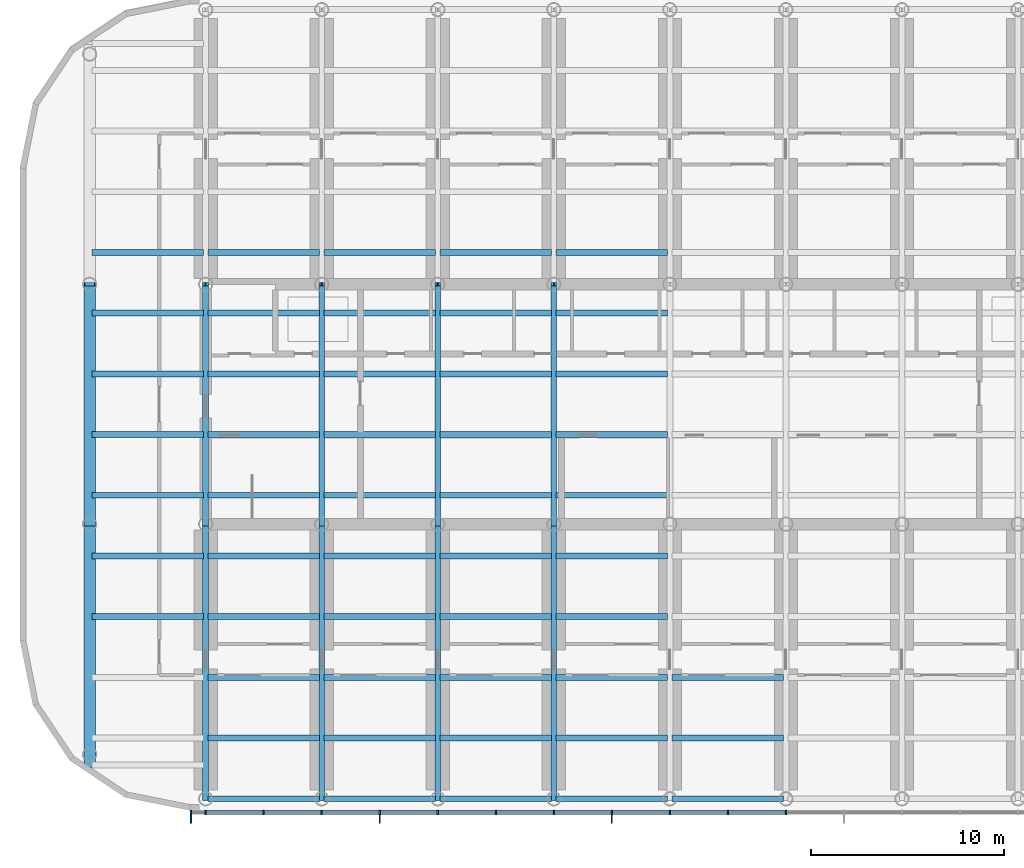
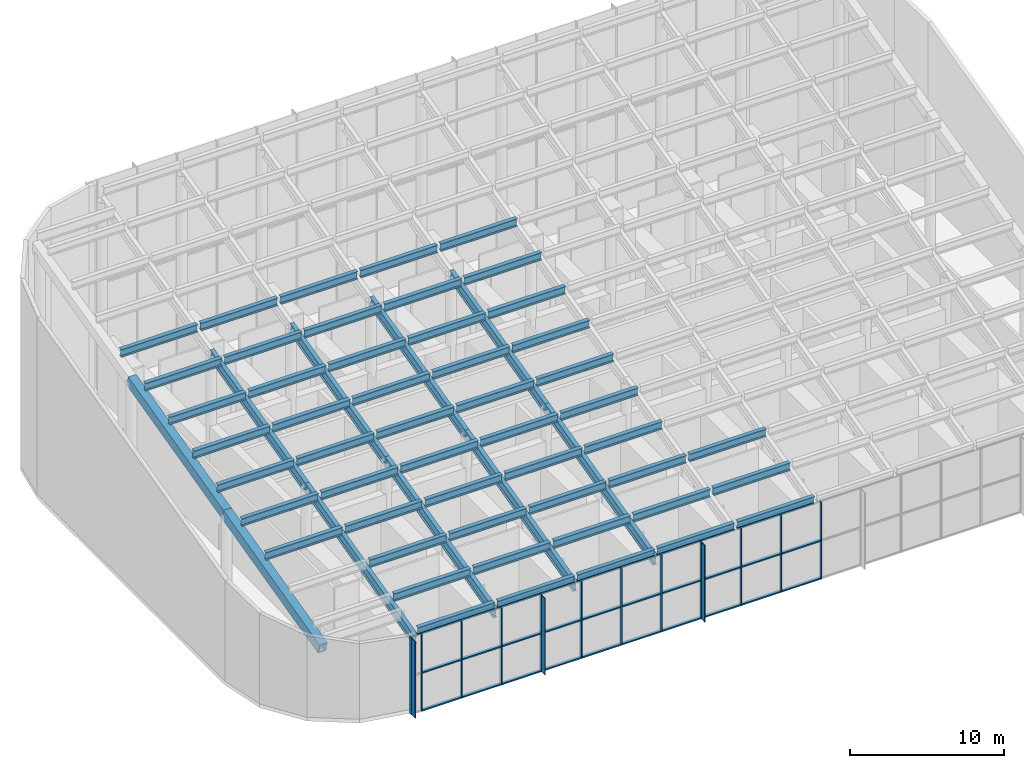
# One storey, part 2 of 14: 95 members, 1 element without a shape of its own.
"""IFC4 building model written with IfcOpenShell, lengths in metres."""

from ifc_helpers import new_model, si_unit, direction, frame, origin, origin_2d, place, context, subcontext, project, spatial, rectangle, hollow_rectangle, i_section, extrude, material, material_profile, profile_set, type_object, element, aggregate, save


model = new_model("IFC4")

# Units and contexts
model_context = context("Model", 3, precision=1e-05, world=origin(), true_north=direction((0.0, 1.0)))
body_context = subcontext(model_context, "Body", "Model", "MODEL_VIEW")
ifc_project = project(units=[si_unit("LENGTHUNIT", "METRE"), si_unit("AREAUNIT", "SQUARE_METRE"), si_unit("VOLUMEUNIT", "CUBIC_METRE"), si_unit("PLANEANGLEUNIT", "RADIAN"), si_unit("MASSUNIT", "GRAM", prefix="KILO")], contexts=[model_context])

# Site, building, storey
site_placement = place(None, origin())
site = spatial("IfcSite", under=ifc_project, at=site_placement, CompositionType="ELEMENT")
building_placement = place(site_placement, origin())
building = spatial("IfcBuilding", under=site, at=building_placement, Name="Orbita Commons", CompositionType="ELEMENT")
storey_placement = place(building_placement, frame((0.0, 0.0, 262.300048828125)))
storey = spatial("IfcBuildingStorey", under=building, at=storey_placement, Name="L65", CompositionType="ELEMENT", Elevation=262.300048828125)

# Members
ifc_material_1 = material(Name="Steel ASTM A572 Gr 50 welded plate", Category="steel")
ifc_material_profile_1 = material_profile(ifc_material_1, hollow_rectangle(XDim=0.60009765625, YDim=0.800048828125, WallThickness=0.06005859375, at=origin_2d()), Name="BOX 800x600x60")
ifc_profile_set_1 = profile_set([ifc_material_profile_1], Name="Steel ASTM A572 Gr 50 welded plate")
member_type_1 = type_object("IfcMemberType", Name="Crown end rafter BOX 800x600x60", PredefinedType="RAFTER", material=ifc_profile_set_1)
member_1_placement = place(storey_placement, frame((12.0, 13.315185546875, 5.31982421875), z_axis=(0.0, 0.970296329372, 0.2419194767), x_axis=(-1.0, 0.0, 0.0)))
element("IfcMember", 1, at=member_1_placement, inside=storey, type_object=member_type_1, Name="Crown rafter line 3 span 1", PredefinedType="RAFTER", context=body_context, shape_type="SweptSolid", body=[
    extrude(hollow_rectangle(XDim=0.60009765625, YDim=0.800048828125, WallThickness=0.06005859375, at=origin_2d()), origin(), (0.0, 0.0, 1.0), 12.866943359375),
])
member_2_placement = place(storey_placement, frame((12.0, 25.800048828125, 8.4326171875), z_axis=(0.0, 0.970292897742, 0.241933239949), x_axis=(-1.0, 0.0, 0.0)))
element("IfcMember", 2, at=member_2_placement, inside=storey, type_object=member_type_1, Name="Crown rafter line 3 span 2", PredefinedType="RAFTER", context=body_context, shape_type="SweptSolid", body=[
    extrude(hollow_rectangle(XDim=0.60009765625, YDim=0.800048828125, WallThickness=0.06005859375, at=origin_2d()), origin(), (0.0, 0.0, 1.0), 12.779541015625),
])
ifc_material_2 = material(Name="Steel ASTM A992", Category="steel")
ifc_material_profile_2 = material_profile(ifc_material_2, i_section(OverallWidth=0.304931640625, OverallDepth=0.6201171875, WebThickness=0.02099609375, FlangeThickness=0.0400390625, FilletRadius=0.027099609375, at=origin_2d()), Name="HEM 600")
ifc_profile_set_2 = profile_set([ifc_material_profile_2], Name="Steel ASTM A992")
member_type_2 = type_object("IfcMemberType", Name="Crown purlin HEM 600", PredefinedType="PURLIN", material=ifc_profile_set_2)
for number, where, z_axis, x_axis, name in (
    (3, (18.1201171875, 11.60009765625, 5.595458984375), (1.0, 0.0, 0.0), (0.0, 1.0, 0.0), "Crown purlin 1 4-5"),
    (4, (24.1201171875, 11.60009765625, 5.595458984375), (1.0, 0.0, 0.0), (0.0, 1.0, 0.0), "Crown purlin 1 5-6"),
    (5, (30.1201171875, 11.60009765625, 5.595458984375), (1.0, 0.0, 0.0), (0.0, 1.0, 0.0), "Crown purlin 1 6-7"),
    (6, (36.1201171875, 11.60009765625, 5.595458984375), (1.0, 0.0, 0.0), (0.0, 1.0, 0.0), "Crown purlin 1 7-8"),
    (7, (42.1201171875, 11.60009765625, 5.595458984375), (1.0, 0.0, 0.0), (0.0, 1.0, 0.0), "Crown purlin 1 8-9"),
    (8, (18.1201171875, 14.738525390625, 6.3779296875), (1.0, 0.0, 0.0), (0.0, 1.0, 0.0), "Crown purlin 2 4-5"),
    (9, (24.1201171875, 14.738525390625, 6.3779296875), (1.0, 0.0, 0.0), (0.0, 1.0, 0.0), "Crown purlin 2 5-6"),
    (10, (30.1201171875, 14.738525390625, 6.3779296875), (1.0, 0.0, 0.0), (0.0, 1.0, 0.0), "Crown purlin 2 6-7"),
    (11, (36.1201171875, 14.738525390625, 6.3779296875), (1.0, 0.0, 0.0), (0.0, 1.0, 0.0), "Crown purlin 2 7-8"),
    (12, (42.1201171875, 14.738525390625, 6.3779296875), (1.0, 0.0, 0.0), (0.0, 1.0, 0.0), "Crown purlin 2 8-9"),
    (13, (18.1201171875, 17.876953125, 7.160400390625), (1.0, 0.0, 0.0), (0.0, 1.0, 0.0), "Crown purlin 3 4-5"),
    (14, (24.1201171875, 17.876953125, 7.160400390625), (1.0, 0.0, 0.0), (0.0, 1.0, 0.0), "Crown purlin 3 5-6"),
    (15, (30.1201171875, 17.876953125, 7.160400390625), (1.0, 0.0, 0.0), (0.0, 1.0, 0.0), "Crown purlin 3 6-7"),
    (16, (36.1201171875, 17.876953125, 7.160400390625), (1.0, 0.0, 0.0), (0.0, 1.0, 0.0), "Crown purlin 3 7-8"),
    (17, (42.1201171875, 17.876953125, 7.160400390625), (1.0, 0.0, 0.0), (0.0, 1.0, 0.0), "Crown purlin 3 8-9"),
    (18, (12.1201171875, 21.015380859375, 7.94287109375), (1.0, 0.0, 0.0), (0.0, 1.0, 0.0), "Crown purlin 4 3-4"),
    (19, (18.1201171875, 21.015380859375, 7.94287109375), (1.0, 0.0, 0.0), (0.0, 1.0, 0.0), "Crown purlin 4 4-5"),
    (20, (24.1201171875, 21.015380859375, 7.94287109375), (1.0, 0.0, 0.0), (0.0, 1.0, 0.0), "Crown purlin 4 5-6"),
    (21, (30.1201171875, 21.015380859375, 7.94287109375), (1.0, 0.0, 0.0), (0.0, 1.0, 0.0), "Crown purlin 4 6-7"),
    (22, (36.1201171875, 21.015380859375, 7.94287109375), (1.0, 0.0, 0.0), (0.0, 1.0, 0.0), "Crown purlin 4 7-8"),
    (23, (12.1201171875, 24.15380859375, 8.725341796875), (1.0, 0.0, 0.0), (0.0, 1.0, 0.0), "Crown purlin 5 3-4"),
    (24, (18.1201171875, 24.15380859375, 8.725341796875), (1.0, 0.0, 0.0), (0.0, 1.0, 0.0), "Crown purlin 5 4-5"),
    (25, (24.1201171875, 24.15380859375, 8.725341796875), (1.0, 0.0, 0.0), (0.0, 1.0, 0.0), "Crown purlin 5 5-6"),
    (26, (30.1201171875, 24.15380859375, 8.725341796875), (1.0, 0.0, 0.0), (0.0, 1.0, 0.0), "Crown purlin 5 6-7"),
    (27, (36.1201171875, 24.15380859375, 8.725341796875), (1.0, 0.0, 0.0), (0.0, 1.0, 0.0), "Crown purlin 5 7-8"),
    (28, (12.1201171875, 27.292236328125, 9.5078125), (1.0, 0.0, 0.0), (0.0, 1.0, 0.0), "Crown purlin 6 3-4"),
    (29, (18.1201171875, 27.292236328125, 9.5078125), (1.0, 0.0, 0.0), (0.0, 1.0, 0.0), "Crown purlin 6 4-5"),
    (30, (24.1201171875, 27.292236328125, 9.5078125), (1.0, 0.0, 0.0), (0.0, 1.0, 0.0), "Crown purlin 6 5-6"),
    (31, (30.1201171875, 27.292236328125, 9.5078125), (1.0, 0.0, 0.0), (0.0, 1.0, 0.0), "Crown purlin 6 6-7"),
    (32, (36.1201171875, 27.292236328125, 9.5078125), (1.0, 0.0, 0.0), (0.0, 1.0, 0.0), "Crown purlin 6 7-8"),
    (33, (12.1201171875, 30.4306640625, 10.29052734375), (1.0, 0.0, 0.0), (0.0, 1.0, 0.0), "Crown purlin 7 3-4"),
    (34, (18.1201171875, 30.4306640625, 10.29052734375), (1.0, 0.0, 0.0), (0.0, 1.0, 0.0), "Crown purlin 7 4-5"),
    (35, (24.1201171875, 30.4306640625, 10.29052734375), (1.0, 0.0, 0.0), (0.0, 1.0, 0.0), "Crown purlin 7 5-6"),
    (36, (30.1201171875, 30.4306640625, 10.29052734375), (1.0, 0.0, 0.0), (0.0, 1.0, 0.0), "Crown purlin 7 6-7"),
    (37, (36.1201171875, 30.4306640625, 10.29052734375), (1.0, 0.0, 0.0), (0.0, 1.0, 0.0), "Crown purlin 7 7-8"),
    (38, (12.1201171875, 33.5693359375, 11.072998046875), (1.0, 0.0, 0.0), (0.0, 1.0, 0.0), "Crown purlin 8 3-4"),
    (39, (18.1201171875, 33.5693359375, 11.072998046875), (1.0, 0.0, 0.0), (0.0, 1.0, 0.0), "Crown purlin 8 4-5"),
    (40, (24.1201171875, 33.5693359375, 11.072998046875), (1.0, 0.0, 0.0), (0.0, 1.0, 0.0), "Crown purlin 8 5-6"),
    (41, (30.1201171875, 33.5693359375, 11.072998046875), (1.0, 0.0, 0.0), (0.0, 1.0, 0.0), "Crown purlin 8 6-7"),
    (42, (36.1201171875, 33.5693359375, 11.072998046875), (1.0, 0.0, 0.0), (0.0, 1.0, 0.0), "Crown purlin 8 7-8"),
    (43, (12.1201171875, 36.707763671875, 11.85546875), (1.0, 0.0, 0.0), (0.0, 1.0, 0.0), "Crown purlin 9 3-4"),
    (44, (18.1201171875, 36.707763671875, 11.85546875), (1.0, 0.0, 0.0), (0.0, 1.0, 0.0), "Crown purlin 9 4-5"),
    (45, (24.1201171875, 36.707763671875, 11.85546875), (1.0, 0.0, 0.0), (0.0, 1.0, 0.0), "Crown purlin 9 5-6"),
    (46, (30.1201171875, 36.707763671875, 11.85546875), (1.0, 0.0, 0.0), (0.0, 1.0, 0.0), "Crown purlin 9 6-7"),
    (47, (36.1201171875, 36.707763671875, 11.85546875), (1.0, 0.0, 0.0), (0.0, 1.0, 0.0), "Crown purlin 9 7-8"),
    (48, (12.1201171875, 39.84619140625, 12.637939453125), (1.0, 0.0, 0.0), (0.0, 1.0, 0.0), "Crown purlin 10 3-4"),
    (49, (18.1201171875, 39.84619140625, 12.637939453125), (1.0, 0.0, 0.0), (0.0, 1.0, 0.0), "Crown purlin 10 4-5"),
    (50, (24.1201171875, 39.84619140625, 12.637939453125), (1.0, 0.0, 0.0), (0.0, 1.0, 0.0), "Crown purlin 10 5-6"),
    (51, (30.1201171875, 39.84619140625, 12.637939453125), (1.0, 0.0, 0.0), (0.0, 1.0, 0.0), "Crown purlin 10 6-7"),
    (52, (36.1201171875, 39.84619140625, 12.637939453125), (1.0, 0.0, 0.0), (0.0, 1.0, 0.0), "Crown purlin 10 7-8"),
):
    element("IfcMember", number, at=place(storey_placement, frame(where, z_axis=z_axis, x_axis=x_axis)), inside=storey, type_object=member_type_2, Name=name, PredefinedType="PURLIN", context=body_context, shape_type="SweptSolid", body=[
        extrude(i_section(OverallWidth=0.304931640625, OverallDepth=0.6201171875, WebThickness=0.02099609375, FlangeThickness=0.0400390625, FilletRadius=0.027099609375, at=origin_2d()), origin(), (0.0, 0.0, 1.0), 5.759765625),
    ])
ifc_material_3 = material(Name="Steel ASTM A992", Category="steel")
ifc_material_profile_3 = material_profile(ifc_material_3, i_section(OverallWidth=0.302978515625, OverallDepth=0.81396484375, WebThickness=0.02099609375, FlangeThickness=0.0400390625, FilletRadius=0.030029296875, at=origin_2d()), Name="HEM 800")
ifc_profile_set_3 = profile_set([ifc_material_profile_3], Name="Steel ASTM A992")
member_type_3 = type_object("IfcMemberType", Name="Crown rafter HEM 800", PredefinedType="RAFTER", material=ifc_profile_set_3)
member_3_placement = place(storey_placement, frame((18.0, 11.60009765625, 4.885009765625), z_axis=(0.0, 0.97029441297, 0.24192716292), x_axis=(-1.0, 0.0, 0.0)))
element("IfcMember", 53, at=member_3_placement, inside=storey, type_object=member_type_3, Name="Crown rafter line 4 span 1", PredefinedType="RAFTER", context=body_context, shape_type="SweptSolid", body=[
    extrude(i_section(OverallWidth=0.302978515625, OverallDepth=0.81396484375, WebThickness=0.02099609375, FlangeThickness=0.0400390625, FilletRadius=0.030029296875, at=origin_2d()), origin(), (0.0, 0.0, 1.0), 14.634765625),
])
member_4_placement = place(storey_placement, frame((18.0, 25.800048828125, 8.425537109375), z_axis=(0.0, 0.970297382189, 0.241915254), x_axis=(-1.0, 0.0, 0.0)))
element("IfcMember", 54, at=member_4_placement, inside=storey, type_object=member_type_3, Name="Crown rafter line 4 span 2", PredefinedType="RAFTER", context=body_context, shape_type="SweptSolid", body=[
    extrude(i_section(OverallWidth=0.302978515625, OverallDepth=0.81396484375, WebThickness=0.02099609375, FlangeThickness=0.0400390625, FilletRadius=0.030029296875, at=origin_2d()), origin(), (0.0, 0.0, 1.0), 12.779541015625),
])
member_5_placement = place(storey_placement, frame((24.0, 11.60009765625, 4.885009765625), z_axis=(0.0, 0.97029441297, 0.24192716292), x_axis=(-1.0, 0.0, 0.0)))
element("IfcMember", 55, at=member_5_placement, inside=storey, type_object=member_type_3, Name="Crown rafter line 5 span 1", PredefinedType="RAFTER", context=body_context, shape_type="SweptSolid", body=[
    extrude(i_section(OverallWidth=0.302978515625, OverallDepth=0.81396484375, WebThickness=0.02099609375, FlangeThickness=0.0400390625, FilletRadius=0.030029296875, at=origin_2d()), origin(), (0.0, 0.0, 1.0), 14.634765625),
])
member_6_placement = place(storey_placement, frame((24.0, 25.800048828125, 8.425537109375), z_axis=(0.0, 0.970297382189, 0.241915254), x_axis=(-1.0, 0.0, 0.0)))
element("IfcMember", 56, at=member_6_placement, inside=storey, type_object=member_type_3, Name="Crown rafter line 5 span 2", PredefinedType="RAFTER", context=body_context, shape_type="SweptSolid", body=[
    extrude(i_section(OverallWidth=0.302978515625, OverallDepth=0.81396484375, WebThickness=0.02099609375, FlangeThickness=0.0400390625, FilletRadius=0.030029296875, at=origin_2d()), origin(), (0.0, 0.0, 1.0), 12.779541015625),
])
member_7_placement = place(storey_placement, frame((30.0, 11.60009765625, 4.885009765625), z_axis=(0.0, 0.97029441297, 0.24192716292), x_axis=(-1.0, 0.0, 0.0)))
element("IfcMember", 57, at=member_7_placement, inside=storey, type_object=member_type_3, Name="Crown rafter line 6 span 1", PredefinedType="RAFTER", context=body_context, shape_type="SweptSolid", body=[
    extrude(i_section(OverallWidth=0.302978515625, OverallDepth=0.81396484375, WebThickness=0.02099609375, FlangeThickness=0.0400390625, FilletRadius=0.030029296875, at=origin_2d()), origin(), (0.0, 0.0, 1.0), 14.634765625),
])
member_8_placement = place(storey_placement, frame((30.0, 25.800048828125, 8.425537109375), z_axis=(0.0, 0.970297382189, 0.241915254), x_axis=(-1.0, 0.0, 0.0)))
element("IfcMember", 58, at=member_8_placement, inside=storey, type_object=member_type_3, Name="Crown rafter line 6 span 2", PredefinedType="RAFTER", context=body_context, shape_type="SweptSolid", body=[
    extrude(i_section(OverallWidth=0.302978515625, OverallDepth=0.81396484375, WebThickness=0.02099609375, FlangeThickness=0.0400390625, FilletRadius=0.030029296875, at=origin_2d()), origin(), (0.0, 0.0, 1.0), 12.779541015625),
])
member_9_placement = place(storey_placement, frame((36.0, 11.60009765625, 4.885009765625), z_axis=(0.0, 0.97029441297, 0.24192716292), x_axis=(-1.0, 0.0, 0.0)))
element("IfcMember", 59, at=member_9_placement, inside=storey, type_object=member_type_3, Name="Crown rafter line 7 span 1", PredefinedType="RAFTER", context=body_context, shape_type="SweptSolid", body=[
    extrude(i_section(OverallWidth=0.302978515625, OverallDepth=0.81396484375, WebThickness=0.02099609375, FlangeThickness=0.0400390625, FilletRadius=0.030029296875, at=origin_2d()), origin(), (0.0, 0.0, 1.0), 14.634765625),
])
member_10_placement = place(storey_placement, frame((36.0, 25.800048828125, 8.425537109375), z_axis=(0.0, 0.970297382189, 0.241915254), x_axis=(-1.0, 0.0, 0.0)))
element("IfcMember", 60, at=member_10_placement, inside=storey, type_object=member_type_3, Name="Crown rafter line 7 span 2", PredefinedType="RAFTER", context=body_context, shape_type="SweptSolid", body=[
    extrude(i_section(OverallWidth=0.302978515625, OverallDepth=0.81396484375, WebThickness=0.02099609375, FlangeThickness=0.0400390625, FilletRadius=0.030029296875, at=origin_2d()), origin(), (0.0, 0.0, 1.0), 12.779541015625),
])

# Curtain wall, members
ifc_material_4 = material(Name="Anodised aluminium frame, pale silver", Category="aluminium")
curtain_wall_type = type_object("IfcCurtainWallType", Name="Crown curtain wall CW-C", PredefinedType="NOTDEFINED", material=ifc_material_4)
curtain_wall_placement = place(storey_placement, origin())
curtain_wall = element("IfcCurtainWall", 61, at=curtain_wall_placement, inside=storey, type_object=curtain_wall_type, Name="Curtain wall south L65", PredefinedType="NOTDEFINED")
ifc_material_5 = material(Name="Anodised aluminium, pale silver", Category="aluminium")
ifc_material_profile_4 = material_profile(ifc_material_5, rectangle(XDim=0.080078125, YDim=0.219970703125, at=origin_2d()), Name="AL 80x220")
ifc_profile_set_4 = profile_set([ifc_material_profile_4], Name="Anodised aluminium, pale silver")
member_type_4 = type_object("IfcMemberType", Name="Curtain wall mullion 80x220", PredefinedType="MULLION", material=ifc_profile_set_4)
member_11_placement = place(storey_placement, frame((17.239990234375, 10.889892578125, -0.300048828125), z_axis=(0.0, 0.0, 1.0), x_axis=(1.0, 0.0, 0.0)))
member_11 = element("IfcMember", 62, at=member_11_placement, type_object=member_type_4, Name="Mullion 1 CW-L65-S", PredefinedType="MULLION", context=body_context, shape_type="SweptSolid", body=[
    extrude(rectangle(XDim=0.080078125, YDim=0.219970703125, at=origin_2d()), origin(), (0.0, 0.0, 1.0), 6.10009765625),
])
member_12_placement = place(storey_placement, frame((18.0, 10.889892578125, -0.300048828125), z_axis=(0.0, 0.0, 1.0), x_axis=(1.0, 0.0, 0.0)))
member_12 = element("IfcMember", 63, at=member_12_placement, type_object=member_type_4, Name="Mullion 2 CW-L65-S", PredefinedType="MULLION", context=body_context, shape_type="SweptSolid", body=[
    extrude(rectangle(XDim=0.080078125, YDim=0.219970703125, at=origin_2d()), origin(), (0.0, 0.0, 1.0), 6.10009765625),
])
member_13_placement = place(storey_placement, frame((21.0, 10.889892578125, -0.300048828125), z_axis=(0.0, 0.0, 1.0), x_axis=(1.0, 0.0, 0.0)))
member_13 = element("IfcMember", 64, at=member_13_placement, type_object=member_type_4, Name="Mullion 3 CW-L65-S", PredefinedType="MULLION", context=body_context, shape_type="SweptSolid", body=[
    extrude(rectangle(XDim=0.080078125, YDim=0.219970703125, at=origin_2d()), origin(), (0.0, 0.0, 1.0), 6.10009765625),
])
member_14_placement = place(storey_placement, frame((24.0, 10.889892578125, -0.300048828125), z_axis=(0.0, 0.0, 1.0), x_axis=(1.0, 0.0, 0.0)))
member_14 = element("IfcMember", 65, at=member_14_placement, type_object=member_type_4, Name="Mullion 4 CW-L65-S", PredefinedType="MULLION", context=body_context, shape_type="SweptSolid", body=[
    extrude(rectangle(XDim=0.080078125, YDim=0.219970703125, at=origin_2d()), origin(), (0.0, 0.0, 1.0), 6.10009765625),
])
member_15_placement = place(storey_placement, frame((27.0, 10.889892578125, -0.300048828125), z_axis=(0.0, 0.0, 1.0), x_axis=(1.0, 0.0, 0.0)))
member_15 = element("IfcMember", 66, at=member_15_placement, type_object=member_type_4, Name="Mullion 5 CW-L65-S", PredefinedType="MULLION", context=body_context, shape_type="SweptSolid", body=[
    extrude(rectangle(XDim=0.080078125, YDim=0.219970703125, at=origin_2d()), origin(), (0.0, 0.0, 1.0), 6.10009765625),
])
member_16_placement = place(storey_placement, frame((30.0, 10.889892578125, -0.300048828125), z_axis=(0.0, 0.0, 1.0), x_axis=(1.0, 0.0, 0.0)))
member_16 = element("IfcMember", 67, at=member_16_placement, type_object=member_type_4, Name="Mullion 6 CW-L65-S", PredefinedType="MULLION", context=body_context, shape_type="SweptSolid", body=[
    extrude(rectangle(XDim=0.080078125, YDim=0.219970703125, at=origin_2d()), origin(), (0.0, 0.0, 1.0), 6.10009765625),
])
member_17_placement = place(storey_placement, frame((33.0, 10.889892578125, -0.300048828125), z_axis=(0.0, 0.0, 1.0), x_axis=(1.0, 0.0, 0.0)))
member_17 = element("IfcMember", 68, at=member_17_placement, type_object=member_type_4, Name="Mullion 7 CW-L65-S", PredefinedType="MULLION", context=body_context, shape_type="SweptSolid", body=[
    extrude(rectangle(XDim=0.080078125, YDim=0.219970703125, at=origin_2d()), origin(), (0.0, 0.0, 1.0), 6.10009765625),
])
member_18_placement = place(storey_placement, frame((36.0, 10.889892578125, -0.300048828125), z_axis=(0.0, 0.0, 1.0), x_axis=(1.0, 0.0, 0.0)))
member_18 = element("IfcMember", 69, at=member_18_placement, type_object=member_type_4, Name="Mullion 8 CW-L65-S", PredefinedType="MULLION", context=body_context, shape_type="SweptSolid", body=[
    extrude(rectangle(XDim=0.080078125, YDim=0.219970703125, at=origin_2d()), origin(), (0.0, 0.0, 1.0), 6.10009765625),
])
member_19_placement = place(storey_placement, frame((39.0, 10.889892578125, -0.300048828125), z_axis=(0.0, 0.0, 1.0), x_axis=(1.0, 0.0, 0.0)))
member_19 = element("IfcMember", 70, at=member_19_placement, type_object=member_type_4, Name="Mullion 9 CW-L65-S", PredefinedType="MULLION", context=body_context, shape_type="SweptSolid", body=[
    extrude(rectangle(XDim=0.080078125, YDim=0.219970703125, at=origin_2d()), origin(), (0.0, 0.0, 1.0), 6.10009765625),
])
member_20_placement = place(storey_placement, frame((42.0, 10.889892578125, -0.300048828125), z_axis=(0.0, 0.0, 1.0), x_axis=(1.0, 0.0, 0.0)))
member_20 = element("IfcMember", 71, at=member_20_placement, type_object=member_type_4, Name="Mullion 10 CW-L65-S", PredefinedType="MULLION", context=body_context, shape_type="SweptSolid", body=[
    extrude(rectangle(XDim=0.080078125, YDim=0.219970703125, at=origin_2d()), origin(), (0.0, 0.0, 1.0), 6.10009765625),
])
member_21_placement = place(storey_placement, frame((45.0, 10.889892578125, -0.300048828125), z_axis=(0.0, 0.0, 1.0), x_axis=(1.0, 0.0, 0.0)))
member_21 = element("IfcMember", 72, at=member_21_placement, type_object=member_type_4, Name="Mullion 11 CW-L65-S", PredefinedType="MULLION", context=body_context, shape_type="SweptSolid", body=[
    extrude(rectangle(XDim=0.080078125, YDim=0.219970703125, at=origin_2d()), origin(), (0.0, 0.0, 1.0), 6.10009765625),
])
member_22_placement = place(storey_placement, frame((48.0, 10.889892578125, -0.300048828125), z_axis=(0.0, 0.0, 1.0), x_axis=(1.0, 0.0, 0.0)))
member_22 = element("IfcMember", 73, at=member_22_placement, type_object=member_type_4, Name="Mullion 12 CW-L65-S", PredefinedType="MULLION", context=body_context, shape_type="SweptSolid", body=[
    extrude(rectangle(XDim=0.080078125, YDim=0.219970703125, at=origin_2d()), origin(), (0.0, 0.0, 1.0), 6.10009765625),
])
ifc_material_6 = material(Name="Anodised aluminium, pale silver", Category="aluminium")
ifc_material_profile_5 = material_profile(ifc_material_6, rectangle(XDim=0.219970703125, YDim=0.10009765625, at=origin_2d()), Name="AL 220x100")
ifc_profile_set_5 = profile_set([ifc_material_profile_5], Name="Anodised aluminium, pale silver")
member_type_5 = type_object("IfcMemberType", Name="Curtain wall stack transom 220x100", PredefinedType="USERDEFINED", material=ifc_profile_set_5)
member_23_placement = place(storey_placement, frame((18.0400390625, 10.889892578125, -0.25), z_axis=(1.0, 0.0, 0.0), x_axis=(0.0, 1.0, 0.0)))
member_23 = element("IfcMember", 74, at=member_23_placement, type_object=member_type_5, Name="Transom 2.1 CW-L65-S", ObjectType="TRANSOM", PredefinedType="USERDEFINED", context=body_context, shape_type="SweptSolid", body=[
    extrude(rectangle(XDim=0.219970703125, YDim=0.10009765625, at=origin_2d()), origin(), (0.0, 0.0, 1.0), 2.919921875),
])
member_24_placement = place(storey_placement, frame((18.0400390625, 10.889892578125, 2.75), z_axis=(1.0, 0.0, 0.0), x_axis=(0.0, 1.0, 0.0)))
member_24 = element("IfcMember", 75, at=member_24_placement, type_object=member_type_5, Name="Transom 2.2 CW-L65-S", ObjectType="TRANSOM", PredefinedType="USERDEFINED", context=body_context, shape_type="SweptSolid", body=[
    extrude(rectangle(XDim=0.219970703125, YDim=0.10009765625, at=origin_2d()), origin(), (0.0, 0.0, 1.0), 2.919921875),
])
member_25_placement = place(storey_placement, frame((21.0400390625, 10.889892578125, -0.25), z_axis=(1.0, 0.0, 0.0), x_axis=(0.0, 1.0, 0.0)))
member_25 = element("IfcMember", 76, at=member_25_placement, type_object=member_type_5, Name="Transom 3.1 CW-L65-S", ObjectType="TRANSOM", PredefinedType="USERDEFINED", context=body_context, shape_type="SweptSolid", body=[
    extrude(rectangle(XDim=0.219970703125, YDim=0.10009765625, at=origin_2d()), origin(), (0.0, 0.0, 1.0), 2.919921875),
])
member_26_placement = place(storey_placement, frame((21.0400390625, 10.889892578125, 2.75), z_axis=(1.0, 0.0, 0.0), x_axis=(0.0, 1.0, 0.0)))
member_26 = element("IfcMember", 77, at=member_26_placement, type_object=member_type_5, Name="Transom 3.2 CW-L65-S", ObjectType="TRANSOM", PredefinedType="USERDEFINED", context=body_context, shape_type="SweptSolid", body=[
    extrude(rectangle(XDim=0.219970703125, YDim=0.10009765625, at=origin_2d()), origin(), (0.0, 0.0, 1.0), 2.919921875),
])
member_27_placement = place(storey_placement, frame((24.0400390625, 10.889892578125, -0.25), z_axis=(1.0, 0.0, 0.0), x_axis=(0.0, 1.0, 0.0)))
member_27 = element("IfcMember", 78, at=member_27_placement, type_object=member_type_5, Name="Transom 4.1 CW-L65-S", ObjectType="TRANSOM", PredefinedType="USERDEFINED", context=body_context, shape_type="SweptSolid", body=[
    extrude(rectangle(XDim=0.219970703125, YDim=0.10009765625, at=origin_2d()), origin(), (0.0, 0.0, 1.0), 2.919921875),
])
member_28_placement = place(storey_placement, frame((24.0400390625, 10.889892578125, 2.75), z_axis=(1.0, 0.0, 0.0), x_axis=(0.0, 1.0, 0.0)))
member_28 = element("IfcMember", 79, at=member_28_placement, type_object=member_type_5, Name="Transom 4.2 CW-L65-S", ObjectType="TRANSOM", PredefinedType="USERDEFINED", context=body_context, shape_type="SweptSolid", body=[
    extrude(rectangle(XDim=0.219970703125, YDim=0.10009765625, at=origin_2d()), origin(), (0.0, 0.0, 1.0), 2.919921875),
])
member_29_placement = place(storey_placement, frame((27.0400390625, 10.889892578125, -0.25), z_axis=(1.0, 0.0, 0.0), x_axis=(0.0, 1.0, 0.0)))
member_29 = element("IfcMember", 80, at=member_29_placement, type_object=member_type_5, Name="Transom 5.1 CW-L65-S", ObjectType="TRANSOM", PredefinedType="USERDEFINED", context=body_context, shape_type="SweptSolid", body=[
    extrude(rectangle(XDim=0.219970703125, YDim=0.10009765625, at=origin_2d()), origin(), (0.0, 0.0, 1.0), 2.919921875),
])
member_30_placement = place(storey_placement, frame((27.0400390625, 10.889892578125, 2.75), z_axis=(1.0, 0.0, 0.0), x_axis=(0.0, 1.0, 0.0)))
member_30 = element("IfcMember", 81, at=member_30_placement, type_object=member_type_5, Name="Transom 5.2 CW-L65-S", ObjectType="TRANSOM", PredefinedType="USERDEFINED", context=body_context, shape_type="SweptSolid", body=[
    extrude(rectangle(XDim=0.219970703125, YDim=0.10009765625, at=origin_2d()), origin(), (0.0, 0.0, 1.0), 2.919921875),
])
member_31_placement = place(storey_placement, frame((30.0400390625, 10.889892578125, -0.25), z_axis=(1.0, 0.0, 0.0), x_axis=(0.0, 1.0, 0.0)))
member_31 = element("IfcMember", 82, at=member_31_placement, type_object=member_type_5, Name="Transom 6.1 CW-L65-S", ObjectType="TRANSOM", PredefinedType="USERDEFINED", context=body_context, shape_type="SweptSolid", body=[
    extrude(rectangle(XDim=0.219970703125, YDim=0.10009765625, at=origin_2d()), origin(), (0.0, 0.0, 1.0), 2.919921875),
])
member_32_placement = place(storey_placement, frame((30.0400390625, 10.889892578125, 2.75), z_axis=(1.0, 0.0, 0.0), x_axis=(0.0, 1.0, 0.0)))
member_32 = element("IfcMember", 83, at=member_32_placement, type_object=member_type_5, Name="Transom 6.2 CW-L65-S", ObjectType="TRANSOM", PredefinedType="USERDEFINED", context=body_context, shape_type="SweptSolid", body=[
    extrude(rectangle(XDim=0.219970703125, YDim=0.10009765625, at=origin_2d()), origin(), (0.0, 0.0, 1.0), 2.919921875),
])
member_33_placement = place(storey_placement, frame((33.0400390625, 10.889892578125, -0.25), z_axis=(1.0, 0.0, 0.0), x_axis=(0.0, 1.0, 0.0)))
member_33 = element("IfcMember", 84, at=member_33_placement, type_object=member_type_5, Name="Transom 7.1 CW-L65-S", ObjectType="TRANSOM", PredefinedType="USERDEFINED", context=body_context, shape_type="SweptSolid", body=[
    extrude(rectangle(XDim=0.219970703125, YDim=0.10009765625, at=origin_2d()), origin(), (0.0, 0.0, 1.0), 2.919921875),
])
member_34_placement = place(storey_placement, frame((33.0400390625, 10.889892578125, 2.75), z_axis=(1.0, 0.0, 0.0), x_axis=(0.0, 1.0, 0.0)))
member_34 = element("IfcMember", 85, at=member_34_placement, type_object=member_type_5, Name="Transom 7.2 CW-L65-S", ObjectType="TRANSOM", PredefinedType="USERDEFINED", context=body_context, shape_type="SweptSolid", body=[
    extrude(rectangle(XDim=0.219970703125, YDim=0.10009765625, at=origin_2d()), origin(), (0.0, 0.0, 1.0), 2.919921875),
])
member_35_placement = place(storey_placement, frame((36.0400390625, 10.889892578125, -0.25), z_axis=(1.0, 0.0, 0.0), x_axis=(0.0, 1.0, 0.0)))
member_35 = element("IfcMember", 86, at=member_35_placement, type_object=member_type_5, Name="Transom 8.1 CW-L65-S", ObjectType="TRANSOM", PredefinedType="USERDEFINED", context=body_context, shape_type="SweptSolid", body=[
    extrude(rectangle(XDim=0.219970703125, YDim=0.10009765625, at=origin_2d()), origin(), (0.0, 0.0, 1.0), 2.919921875),
])
member_36_placement = place(storey_placement, frame((36.0400390625, 10.889892578125, 2.75), z_axis=(1.0, 0.0, 0.0), x_axis=(0.0, 1.0, 0.0)))
member_36 = element("IfcMember", 87, at=member_36_placement, type_object=member_type_5, Name="Transom 8.2 CW-L65-S", ObjectType="TRANSOM", PredefinedType="USERDEFINED", context=body_context, shape_type="SweptSolid", body=[
    extrude(rectangle(XDim=0.219970703125, YDim=0.10009765625, at=origin_2d()), origin(), (0.0, 0.0, 1.0), 2.919921875),
])
member_37_placement = place(storey_placement, frame((39.0400390625, 10.889892578125, -0.25), z_axis=(1.0, 0.0, 0.0), x_axis=(0.0, 1.0, 0.0)))
member_37 = element("IfcMember", 88, at=member_37_placement, type_object=member_type_5, Name="Transom 9.1 CW-L65-S", ObjectType="TRANSOM", PredefinedType="USERDEFINED", context=body_context, shape_type="SweptSolid", body=[
    extrude(rectangle(XDim=0.219970703125, YDim=0.10009765625, at=origin_2d()), origin(), (0.0, 0.0, 1.0), 2.919921875),
])
member_38_placement = place(storey_placement, frame((39.0400390625, 10.889892578125, 2.75), z_axis=(1.0, 0.0, 0.0), x_axis=(0.0, 1.0, 0.0)))
member_38 = element("IfcMember", 89, at=member_38_placement, type_object=member_type_5, Name="Transom 9.2 CW-L65-S", ObjectType="TRANSOM", PredefinedType="USERDEFINED", context=body_context, shape_type="SweptSolid", body=[
    extrude(rectangle(XDim=0.219970703125, YDim=0.10009765625, at=origin_2d()), origin(), (0.0, 0.0, 1.0), 2.919921875),
])
member_39_placement = place(storey_placement, frame((42.0400390625, 10.889892578125, -0.25), z_axis=(1.0, 0.0, 0.0), x_axis=(0.0, 1.0, 0.0)))
member_39 = element("IfcMember", 90, at=member_39_placement, type_object=member_type_5, Name="Transom 10.1 CW-L65-S", ObjectType="TRANSOM", PredefinedType="USERDEFINED", context=body_context, shape_type="SweptSolid", body=[
    extrude(rectangle(XDim=0.219970703125, YDim=0.10009765625, at=origin_2d()), origin(), (0.0, 0.0, 1.0), 2.919921875),
])
member_40_placement = place(storey_placement, frame((42.0400390625, 10.889892578125, 2.75), z_axis=(1.0, 0.0, 0.0), x_axis=(0.0, 1.0, 0.0)))
member_40 = element("IfcMember", 91, at=member_40_placement, type_object=member_type_5, Name="Transom 10.2 CW-L65-S", ObjectType="TRANSOM", PredefinedType="USERDEFINED", context=body_context, shape_type="SweptSolid", body=[
    extrude(rectangle(XDim=0.219970703125, YDim=0.10009765625, at=origin_2d()), origin(), (0.0, 0.0, 1.0), 2.919921875),
])
member_41_placement = place(storey_placement, frame((45.0400390625, 10.889892578125, -0.25), z_axis=(1.0, 0.0, 0.0), x_axis=(0.0, 1.0, 0.0)))
member_41 = element("IfcMember", 92, at=member_41_placement, type_object=member_type_5, Name="Transom 11.1 CW-L65-S", ObjectType="TRANSOM", PredefinedType="USERDEFINED", context=body_context, shape_type="SweptSolid", body=[
    extrude(rectangle(XDim=0.219970703125, YDim=0.10009765625, at=origin_2d()), origin(), (0.0, 0.0, 1.0), 2.919921875),
])
member_42_placement = place(storey_placement, frame((45.0400390625, 10.889892578125, 2.75), z_axis=(1.0, 0.0, 0.0), x_axis=(0.0, 1.0, 0.0)))
member_42 = element("IfcMember", 93, at=member_42_placement, type_object=member_type_5, Name="Transom 11.2 CW-L65-S", ObjectType="TRANSOM", PredefinedType="USERDEFINED", context=body_context, shape_type="SweptSolid", body=[
    extrude(rectangle(XDim=0.219970703125, YDim=0.10009765625, at=origin_2d()), origin(), (0.0, 0.0, 1.0), 2.919921875),
])
ifc_material_7 = material(Name="Anodised aluminium, pale silver", Category="aluminium")
ifc_material_profile_6 = material_profile(ifc_material_7, rectangle(XDim=0.06005859375, YDim=0.449951171875, at=origin_2d()), Name="FIN 60x450")
ifc_profile_set_6 = profile_set([ifc_material_profile_6], Name="Anodised aluminium, pale silver")
member_type_6 = type_object("IfcMemberType", Name="Vertical fin 60x450 pale aluminium", PredefinedType="USERDEFINED", material=ifc_profile_set_6)
member_43_placement = place(storey_placement, frame((17.239990234375, 10.554931640625, -0.300048828125), z_axis=(0.0, 0.0, 1.0), x_axis=(1.0, 0.0, 0.0)))
member_43 = element("IfcMember", 94, at=member_43_placement, type_object=member_type_6, Name="Fin 1 CW-L65-S", ObjectType="FIN", PredefinedType="USERDEFINED", context=body_context, shape_type="SweptSolid", body=[
    extrude(rectangle(XDim=0.06005859375, YDim=0.449951171875, at=origin_2d()), origin(), (0.0, 0.0, 1.0), 6.10009765625),
])
member_44_placement = place(storey_placement, frame((27.0, 10.554931640625, -0.300048828125), z_axis=(0.0, 0.0, 1.0), x_axis=(1.0, 0.0, 0.0)))
member_44 = element("IfcMember", 95, at=member_44_placement, type_object=member_type_6, Name="Fin 5 CW-L65-S", ObjectType="FIN", PredefinedType="USERDEFINED", context=body_context, shape_type="SweptSolid", body=[
    extrude(rectangle(XDim=0.06005859375, YDim=0.449951171875, at=origin_2d()), origin(), (0.0, 0.0, 1.0), 6.10009765625),
])
member_45_placement = place(storey_placement, frame((39.0, 10.554931640625, -0.300048828125), z_axis=(0.0, 0.0, 1.0), x_axis=(1.0, 0.0, 0.0)))
member_45 = element("IfcMember", 96, at=member_45_placement, type_object=member_type_6, Name="Fin 9 CW-L65-S", ObjectType="FIN", PredefinedType="USERDEFINED", context=body_context, shape_type="SweptSolid", body=[
    extrude(rectangle(XDim=0.06005859375, YDim=0.449951171875, at=origin_2d()), origin(), (0.0, 0.0, 1.0), 6.10009765625),
])
aggregate(curtain_wall, [member_11, member_43, member_12, member_13, member_14, member_15, member_44, member_16, member_17, member_18, member_19, member_45, member_20, member_21, member_22, member_23, member_24, member_25, member_26, member_27, member_28, member_29, member_30, member_31, member_32, member_33, member_34, member_35, member_36, member_37, member_38, member_39, member_40, member_41, member_42])

save(model, "model.ifc")
